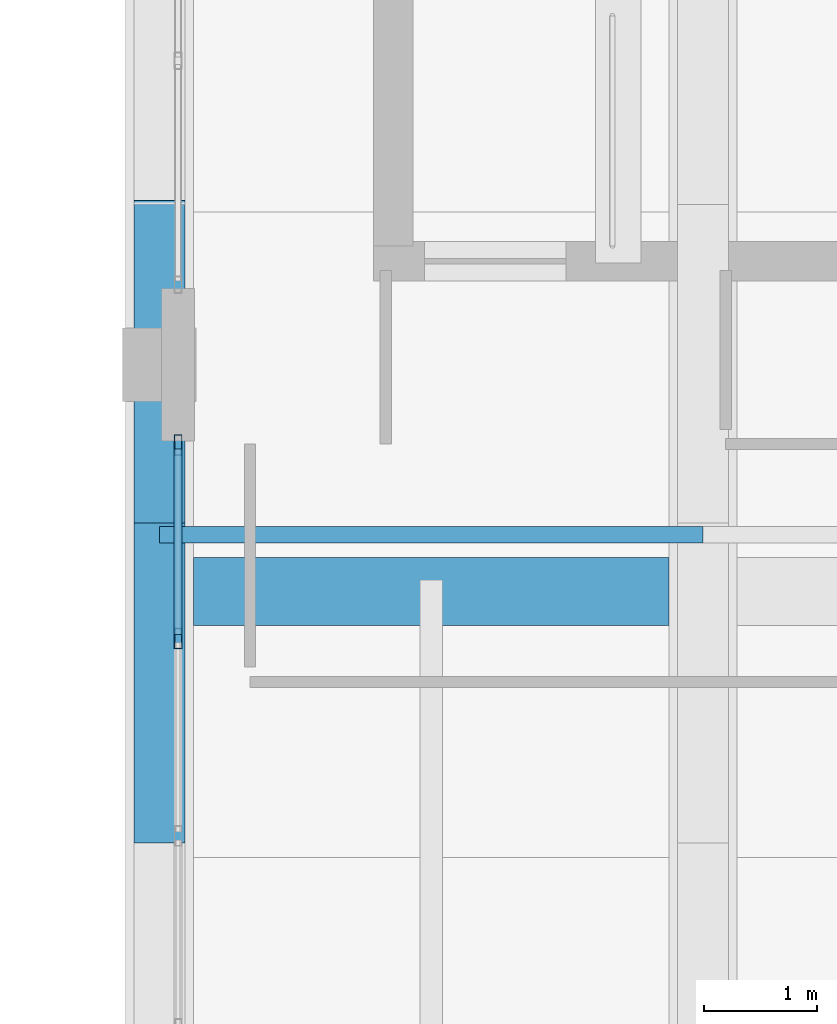
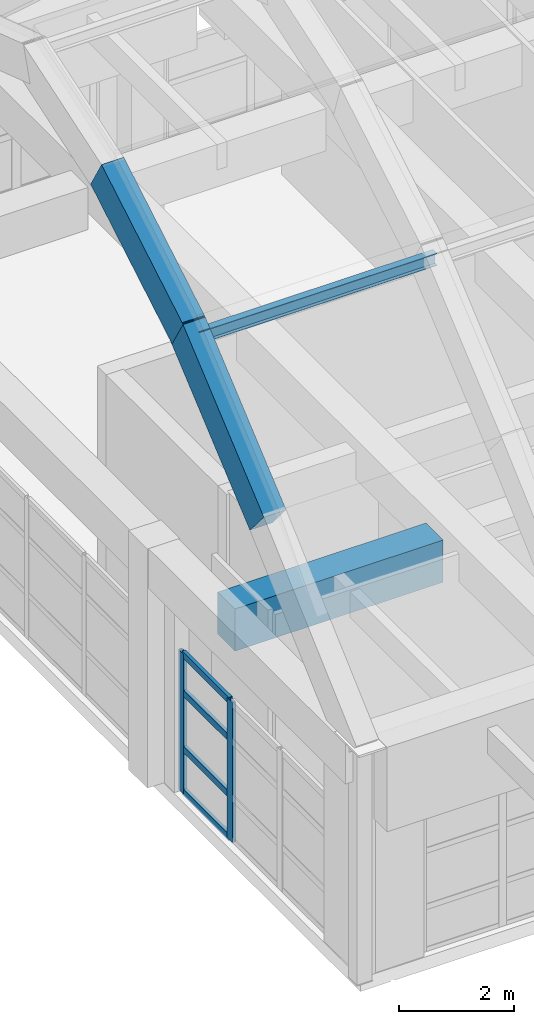
# One storey, part 28 of 78: 7 members, 3 beams, 1 element without a shape of its own.
"""IFC4 building model written with IfcOpenShell, lengths in metres."""

from ifc_helpers import new_model, si_unit, direction, frame, origin, origin_2d, place, context, subcontext, project, spatial, rectangle, hollow_rectangle, i_section, extrude, material, layer, layer_set, material_profile, profile_set, type_object, element, aggregate, save


model = new_model("IFC4")

# Units and contexts
model_context = context("Model", 3, precision=1e-05, world=origin(), true_north=direction((0.0, 1.0)))
body_context = subcontext(model_context, "Body", "Model", "MODEL_VIEW")
ifc_project = project(units=[si_unit("LENGTHUNIT", "METRE"), si_unit("AREAUNIT", "SQUARE_METRE"), si_unit("VOLUMEUNIT", "CUBIC_METRE"), si_unit("PLANEANGLEUNIT", "RADIAN"), si_unit("MASSUNIT", "GRAM", prefix="KILO")], contexts=[model_context])

# Site, building, storey
site_placement = place(None, origin())
site = spatial("IfcSite", under=ifc_project, at=site_placement, CompositionType="ELEMENT")
building_placement = place(site_placement, origin())
building = spatial("IfcBuilding", under=site, at=building_placement, Name="Quendrovan Civic Courthouse", CompositionType="ELEMENT")
storey_placement = place(building_placement, frame((0.0, 0.0, 20.39990234375)))
storey = spatial("IfcBuildingStorey", under=building, at=storey_placement, Name="L05", CompositionType="ELEMENT", Elevation=20.39990234375)

# Beams
ifc_material_1 = material(Name="Concrete C40/50", Category="concrete")
ifc_material_profile_1 = material_profile(ifc_material_1, rectangle(XDim=0.60009765625, YDim=0.89990234375, at=origin_2d()), Name="RC-BM-600x900")
ifc_profile_set_1 = profile_set([ifc_material_profile_1], Name="Concrete C40/50")
beam_type_1 = type_object("IfcBeamType", Name="BM-RC900", PredefinedType="BEAM", material=ifc_profile_set_1)
beam_1_placement = place(storey_placement, frame((109.5, 92.800048828125, 4.35009765625), z_axis=(1.0, 0.0, 0.0), x_axis=(0.0, 1.0, 0.0)))
element("IfcBeam", 1, at=beam_1_placement, inside=storey, type_object=beam_type_1, Name="BV1 Eave Backspan Collector Beam S-B1", PredefinedType="BEAM", context=body_context, shape_type="SweptSolid", body=[
    extrude(rectangle(XDim=0.60009765625, YDim=0.89990234375, at=origin_2d()), origin(), (0.0, 0.0, 1.0), 4.199951171875),
])
ifc_material_profile_2 = material_profile(ifc_material_1, rectangle(XDim=0.449951171875, YDim=0.75, at=origin_2d()), Name="RC-VRIB-450x750")
ifc_profile_set_2 = profile_set([ifc_material_profile_2], Name="Concrete C40/50")
beam_type_2 = type_object("IfcBeamType", Name="BM-VRIB750", PredefinedType="BEAM", material=ifc_profile_set_2)
beam_2_placement = place(storey_placement, frame((109.199951171875, 90.822021484375, 7.818603515625), z_axis=(0.0, 0.762387086329, 0.647121264214), x_axis=(-1.0, 0.0, 0.0)))
element("IfcBeam", 2, at=beam_2_placement, inside=storey, type_object=beam_type_2, Name="BV1 Concrete Vault Arch Rib A1-C2", PredefinedType="BEAM", context=body_context, shape_type="SweptSolid", body=[
    extrude(rectangle(XDim=0.449951171875, YDim=0.75, at=origin_2d()), origin(), (0.0, 0.0, 1.0), 3.73828125),
])
beam_3_placement = place(storey_placement, frame((109.199951171875, 93.592041015625, 10.180908203125), z_axis=(0.0, 0.861355141515, 0.508003267889), x_axis=(-1.0, 0.0, 0.0)))
element("IfcBeam", 3, at=beam_3_placement, inside=storey, type_object=beam_type_2, Name="BV1 Concrete Vault Arch Rib A1-C3", PredefinedType="BEAM", context=body_context, shape_type="SweptSolid", body=[
    extrude(rectangle(XDim=0.449951171875, YDim=0.75, at=origin_2d()), origin(), (0.0, 0.0, 1.0), 3.308837890625),
])

# Curtain wall, members
ifc_material_2 = material(Name="Bronze anodised aluminium and low-E glass", Category="aluminium")
ifc_layer = layer(ifc_material_2, 0.179931640625, Name="Bronze anodised aluminium and low-E glass")
ifc_layer_set = layer_set([ifc_layer], Name="Bronze anodised aluminium and low-E glass")
curtain_wall_type = type_object("IfcCurtainWallType", Name="CW-U52x30", PredefinedType="USERDEFINED", material=ifc_layer_set)
curtain_wall_placement = place(storey_placement, origin())
curtain_wall = element("IfcCurtainWall", 4, at=curtain_wall_placement, inside=storey, type_object=curtain_wall_type, Name="L05 Unitised Hurricane Curtain Wall CW-202", ObjectType="UNITISED CURTAIN WALL", PredefinedType="USERDEFINED")
ifc_material_3 = material(Name="Bronze anodised aluminium", Category="aluminium")
ifc_material_profile_3 = material_profile(ifc_material_3, hollow_rectangle(XDim=0.070068359375, YDim=0.179931640625, WallThickness=0.00390625, at=origin_2d()), Name="CW-MULL-70x180")
ifc_profile_set_3 = profile_set([ifc_material_profile_3], Name="Bronze anodised aluminium")
member_type_1 = type_object("IfcMemberType", Name="CW-MULL-A", PredefinedType="MULLION", material=ifc_profile_set_3)
member_1_placement = place(storey_placement, frame((109.364990234375, 92.38330078125, 0.0), z_axis=(0.0, 0.0, 1.0), x_axis=(-1.0, 0.0, 0.0)))
member_1 = element("IfcMember", 5, at=member_1_placement, type_object=member_type_1, Name="CW-202 mullion 3", PredefinedType="MULLION", context=body_context, shape_type="SweptSolid", body=[
    extrude(hollow_rectangle(XDim=0.070068359375, YDim=0.179931640625, WallThickness=0.00390625, at=origin_2d()), origin(), (0.0, 0.0, 1.0), 2.989990234375),
])
member_2_placement = place(storey_placement, frame((109.364990234375, 94.090087890625, 0.0), z_axis=(0.0, 0.0, 1.0), x_axis=(-1.0, 0.0, 0.0)))
member_2 = element("IfcMember", 6, at=member_2_placement, type_object=member_type_1, Name="CW-202 mullion 4", PredefinedType="MULLION", context=body_context, shape_type="SweptSolid", body=[
    extrude(hollow_rectangle(XDim=0.070068359375, YDim=0.179931640625, WallThickness=0.00390625, at=origin_2d()), origin(), (0.0, 0.0, 1.0), 2.989990234375),
])
ifc_material_profile_4 = material_profile(ifc_material_3, hollow_rectangle(XDim=0.070068359375, YDim=0.139892578125, WallThickness=0.00390625, at=origin_2d()), Name="CW-TRAN-70x140")
ifc_profile_set_4 = profile_set([ifc_material_profile_4], Name="Bronze anodised aluminium")
member_type_2 = type_object("IfcMemberType", Name="CW-TRAN-A", PredefinedType="USERDEFINED", material=ifc_profile_set_4)
member_3_placement = place(storey_placement, frame((109.364990234375, 92.418212890625, 0.03515625), z_axis=(0.0, 1.0, 0.0), x_axis=(-1.0, 0.0, 0.0)))
member_3 = element("IfcMember", 7, at=member_3_placement, type_object=member_type_2, Name="CW-202 transom 3.1", ObjectType="TRANSOM", PredefinedType="USERDEFINED", context=body_context, shape_type="SweptSolid", body=[
    extrude(hollow_rectangle(XDim=0.070068359375, YDim=0.139892578125, WallThickness=0.00390625, at=origin_2d()), origin(), (0.0, 0.0, 1.0), 1.63671875),
])
member_4_placement = place(storey_placement, frame((109.364990234375, 92.418212890625, 0.9501953125), z_axis=(0.0, 1.0, 0.0), x_axis=(-1.0, 0.0, 0.0)))
member_4 = element("IfcMember", 8, at=member_4_placement, type_object=member_type_2, Name="CW-202 transom 3.2", ObjectType="TRANSOM", PredefinedType="USERDEFINED", context=body_context, shape_type="SweptSolid", body=[
    extrude(hollow_rectangle(XDim=0.070068359375, YDim=0.139892578125, WallThickness=0.00390625, at=origin_2d()), origin(), (0.0, 0.0, 1.0), 1.63671875),
])
member_5_placement = place(storey_placement, frame((109.364990234375, 92.418212890625, 2.150146484375), z_axis=(0.0, 1.0, 0.0), x_axis=(-1.0, 0.0, 0.0)))
member_5 = element("IfcMember", 9, at=member_5_placement, type_object=member_type_2, Name="CW-202 transom 3.3", ObjectType="TRANSOM", PredefinedType="USERDEFINED", context=body_context, shape_type="SweptSolid", body=[
    extrude(hollow_rectangle(XDim=0.070068359375, YDim=0.139892578125, WallThickness=0.00390625, at=origin_2d()), origin(), (0.0, 0.0, 1.0), 1.63671875),
])
member_6_placement = place(storey_placement, frame((109.364990234375, 92.418212890625, 2.955078125), z_axis=(0.0, 1.0, 0.0), x_axis=(-1.0, 0.0, 0.0)))
member_6 = element("IfcMember", 10, at=member_6_placement, type_object=member_type_2, Name="CW-202 transom 3.4", ObjectType="TRANSOM", PredefinedType="USERDEFINED", context=body_context, shape_type="SweptSolid", body=[
    extrude(hollow_rectangle(XDim=0.070068359375, YDim=0.139892578125, WallThickness=0.00390625, at=origin_2d()), origin(), (0.0, 0.0, 1.0), 1.63671875),
])
aggregate(curtain_wall, [member_1, member_2, member_3, member_4, member_5, member_6])

# Member
ifc_material_4 = material(Name="Steel ASTM A992 Grade 50", Category="steel")
ifc_material_profile_5 = material_profile(ifc_material_4, i_section(OverallWidth=0.14599609375, OverallDepth=0.258056640625, WebThickness=0.006103515625, FlangeThickness=0.009033203125, at=origin_2d()), Name="W250x33")
ifc_profile_set_5 = profile_set([ifc_material_profile_5], Name="Steel ASTM A992 Grade 50")
member_type_3 = type_object("IfcMemberType", Name="MEM-PUR-W250", PredefinedType="PURLIN", material=ifc_profile_set_5)
member_7_placement = place(storey_placement, frame((109.199951171875, 93.300048828125, 10.236083984375), z_axis=(1.0, 0.0, 0.0), x_axis=(0.0, 1.0, 0.0)))
element("IfcMember", 11, at=member_7_placement, inside=storey, type_object=member_type_3, Name="BV1 Vault Longitudinal Purlin B1-1", PredefinedType="PURLIN", context=body_context, shape_type="SweptSolid", body=[
    extrude(i_section(OverallWidth=0.14599609375, OverallDepth=0.258056640625, WebThickness=0.006103515625, FlangeThickness=0.009033203125, at=origin_2d()), origin(), (0.0, 0.0, 1.0), 4.800048828125),
])

save(model, "model.ifc")
